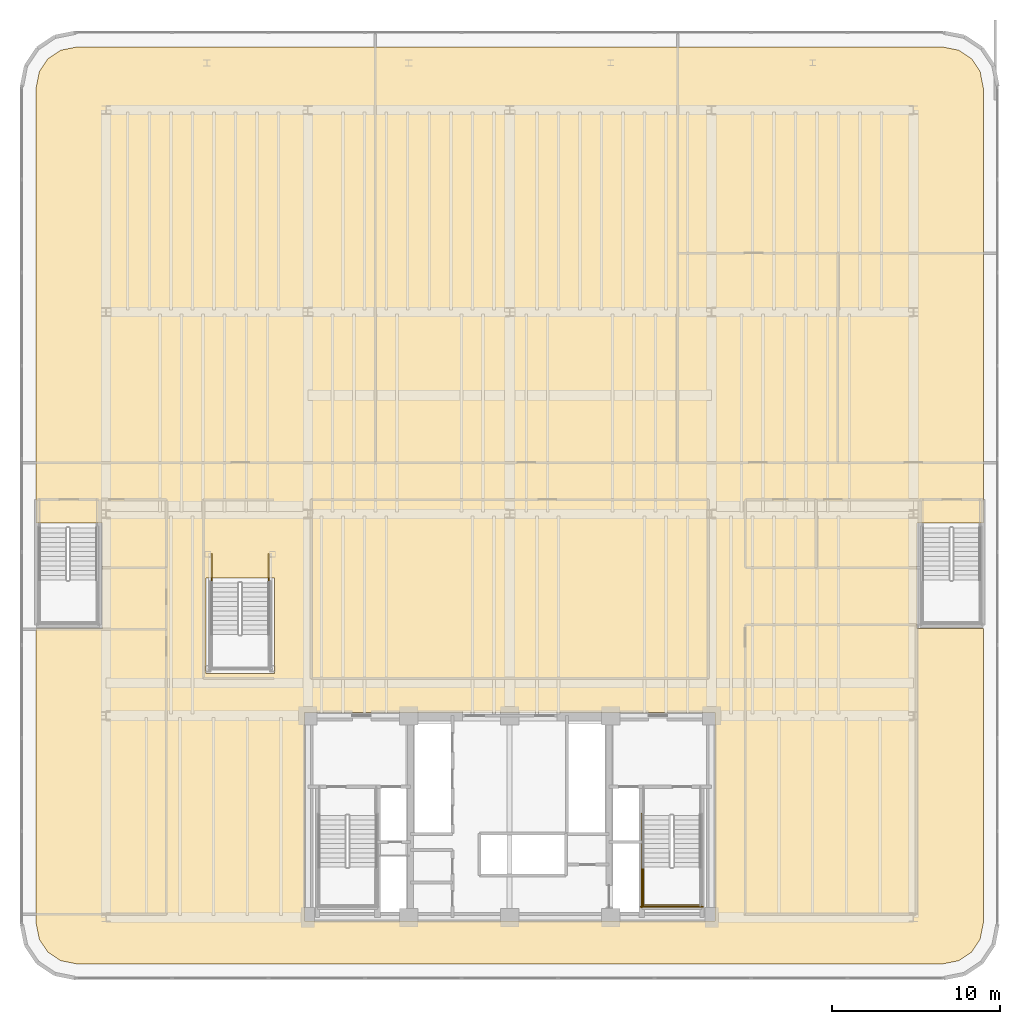
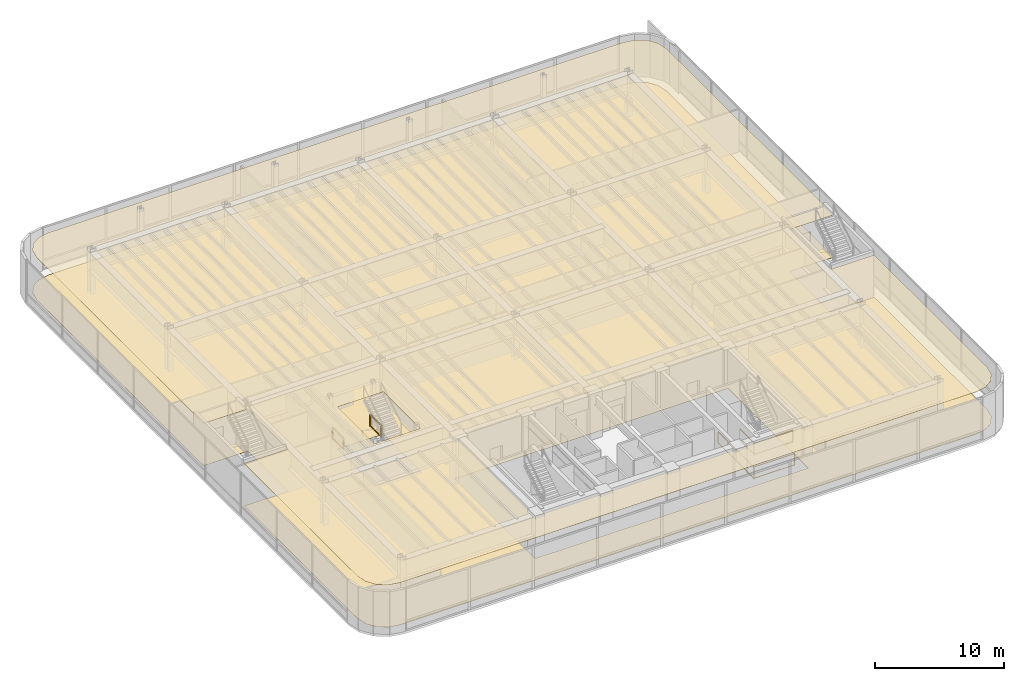
# One storey, part 18 of 19: 6 railings, 2 coverings.
"""IFC4 building model written with IfcOpenShell, lengths in metres."""

import ifcopenshell
import ifcopenshell.guid

model = None  # the IFC model being written
_history = None  # IfcOwnerHistory: only IFC2X3 demands one
_inside = {}  # id of a spatial element -> (the spatial element, [elements in it])
_under = {}  # id of a project, library or spatial element -> (it, [spatial elements below it])
_declared = {}  # id of a project -> (the project, [libraries it declares])
_typed = {}  # id of a type object -> (the type object, [elements of that type])
_made_of = {}  # id of a material, layer set ... -> (it, [elements and type objects made of it])


def new_model(schema):
    """Start an empty IFC model of exactly this schema.

    Asked for "IFC4X3", IfcOpenShell would pick the latest addendum, in which some entities
    have other attributes; the version numbers below select the first issue.
    IFC2X3 requires an IfcOwnerHistory on every rooted entity: one is made here for all.
    """
    global model, _history
    if schema == "IFC4X3":
        model = ifcopenshell.file(schema_version=(4, 3, 0, 0))
    else:
        model = ifcopenshell.file(schema=schema)
    _inside.clear()
    _under.clear()
    _declared.clear()
    _typed.clear()
    _made_of.clear()
    _history = None
    if model.schema == "IFC2X3":
        org = make("IfcOrganization", Name="unknown")
        user = make(
            "IfcPersonAndOrganization",
            ThePerson=make("IfcPerson", FamilyName="unknown"),
            TheOrganization=org,
        )
        app = make(
            "IfcApplication",
            ApplicationDeveloper=org,
            Version="unknown",
            ApplicationFullName="unknown",
            ApplicationIdentifier="unknown",
        )
        _history = make(
            "IfcOwnerHistory",
            OwningUser=user,
            OwningApplication=app,
            ChangeAction="ADDED",
            CreationDate=0,
        )
    return model


def make(cls, **values):
    """One entity of the class cls with the attributes given. An attribute that is None is left unset."""
    return model.create_entity(
        cls, **{name: value for name, value in values.items() if value is not None}
    )


def rooted(cls, **values):
    """An entity with a GlobalId (a new one), such as an element, a storey or a relation."""
    return make(cls, GlobalId=ifcopenshell.guid.new(), OwnerHistory=_history, **values)


def si_unit(unit_type, name, prefix=None):
    """IfcSIUnit, for example si_unit("LENGTHUNIT", "METRE", prefix="MILLI")."""
    return make("IfcSIUnit", UnitType=unit_type, Prefix=prefix, Name=name)


def assignment(units):
    """IfcUnitAssignment: the units of a project."""
    return None if units is None else make("IfcUnitAssignment", Units=units)


def point(xyz):
    """IfcCartesianPoint."""
    return None if xyz is None else make("IfcCartesianPoint", Coordinates=xyz)


def direction(xyz):
    """IfcDirection."""
    return None if xyz is None else make("IfcDirection", DirectionRatios=xyz)


def frame(location, z_axis=None, x_axis=None):
    """IfcAxis2Placement3D, a coordinate frame: its origin and axes. An axis left out is left unset."""
    return make(
        "IfcAxis2Placement3D",
        Location=point(location),
        Axis=direction(z_axis),
        RefDirection=direction(x_axis),
    )


def frame_2d(location, x_axis=None):
    """IfcAxis2Placement2D, a coordinate frame in the plane: its origin and x axis."""
    return make(
        "IfcAxis2Placement2D", Location=point(location), RefDirection=direction(x_axis)
    )


def origin():
    """The frame at (0, 0, 0) with its axes left unset."""
    return frame((0.0, 0.0, 0.0))


def origin_2d():
    """The frame at (0, 0) in the plane with its x axis left unset."""
    return frame_2d((0.0, 0.0))


def place(relative_to, where):
    """IfcLocalPlacement: puts the frame where relative to a parent placement (None: the world)."""
    return make(
        "IfcLocalPlacement", PlacementRelTo=relative_to, RelativePlacement=where
    )


def context(
    kind, dimensions, precision=None, world=None, true_north=None, identifier=None
):
    """IfcGeometricRepresentationContext, for example the 3D "Model" context."""
    return make(
        "IfcGeometricRepresentationContext",
        ContextIdentifier=identifier,
        ContextType=kind,
        CoordinateSpaceDimension=dimensions,
        Precision=precision,
        WorldCoordinateSystem=world,
        TrueNorth=true_north,
    )


def subcontext(parent, identifier, kind, view, scale=None):
    """IfcGeometricRepresentationSubContext, for example "Body" below "Model"."""
    return make(
        "IfcGeometricRepresentationSubContext",
        ContextIdentifier=identifier,
        ContextType=kind,
        ParentContext=parent,
        TargetScale=scale,
        TargetView=view,
    )


def project(units=None, contexts=None):
    """IfcProject with its units and contexts."""
    return rooted(
        "IfcProject",
        Name="project",
        RepresentationContexts=contexts,
        UnitsInContext=assignment(units),
    )


def spatial(cls, under=None, at=None, **own):
    """A site, building, storey or space (cls), placed at a placement, below another one or the project."""
    s = rooted(cls, ObjectPlacement=at, **own)
    if under is not None:
        _under.setdefault(under.id(), (under, []))[1].append(s)
    return s


def polyline(points):
    """IfcPolyline through the points."""
    return make("IfcPolyline", Points=[point(p) for p in points])


def profile(cls, at=None, kind="AREA", **sizes):
    """A parametric profile (cls). Its sizes go by their IFC names, for example OverallWidth=200.0."""
    return make(cls, ProfileType=kind, Position=at, **sizes)


def rectangle(**sizes):
    """IfcRectangleProfileDef."""
    return profile("IfcRectangleProfileDef", **sizes)


def outline(outer, holes=None, kind="AREA"):
    """IfcArbitraryClosedProfileDef: a profile drawn as a closed curve; with holes, ...WithVoids."""
    if holes is None:
        return make("IfcArbitraryClosedProfileDef", ProfileType=kind, OuterCurve=outer)
    return make(
        "IfcArbitraryProfileDefWithVoids",
        ProfileType=kind,
        OuterCurve=outer,
        InnerCurves=holes,
    )


def extrude(swept, where, along, depth):
    """IfcExtrudedAreaSolid: the profile swept, set in the frame where, extruded along a direction by depth."""
    return make(
        "IfcExtrudedAreaSolid",
        SweptArea=swept,
        Position=where,
        ExtrudedDirection=direction(along),
        Depth=depth,
    )


def shape(context_of_items, identifier, shape_type, items):
    """IfcShapeRepresentation: the items that make up one representation, for example the "Body"."""
    return make(
        "IfcShapeRepresentation",
        ContextOfItems=context_of_items,
        RepresentationIdentifier=identifier,
        RepresentationType=shape_type,
        Items=items,
    )


def material(Name=None, Category=None):
    """IfcMaterial."""
    return make("IfcMaterial", Name=Name, Category=Category)


def layer(
    of_material, thickness, ventilated=None, Name=None, Category=None, Priority=None
):
    """IfcMaterialLayer: one layer of a wall or slab, of a material (None: an air gap)."""
    return make(
        "IfcMaterialLayer",
        Material=of_material,
        LayerThickness=thickness,
        IsVentilated=ventilated,
        Name=Name,
        Category=Category,
        Priority=Priority,
    )


def layer_set(layers, Name=None):
    """IfcMaterialLayerSet."""
    return make("IfcMaterialLayerSet", MaterialLayers=layers, LayerSetName=Name)


def made_of(thing, what):
    """Note that an element or type object is made of a material, layer set ...; save() writes the relation."""
    if what is not None:
        _made_of.setdefault(what.id(), (what, []))[1].append(thing)
    return thing


def type_object(cls, material=None, **own):
    """A type object (cls), such as IfcWallType, which elements share."""
    return made_of(rooted(cls, **own), material)


def element(
    cls,
    number,
    at=None,
    inside=None,
    cuts=None,
    type_object=None,
    material=None,
    context=None,
    identifier="Body",
    shape_type=None,
    held_by="IfcProductDefinitionShape",
    body=None,
    shapes=None,
    **own,
):
    """One element of the class cls, such as IfcWall. Its Tag is "e" and its number.

    at: its placement. inside: the storey or other place that contains it. cuts: it is an
    opening in that element (IfcRelVoidsElement). A single representation is given by context,
    identifier, shape_type and body (its items); several are given by shapes. held_by: the class
    of the entity that holds the representations. save() writes the other relations.
    """
    e = rooted(cls, Tag="e%d" % number, ObjectPlacement=at, **own)
    if body is not None:
        shapes = [shape(context, identifier, shape_type, body)]
    if shapes is not None:
        e.Representation = make(held_by, Representations=shapes)
    if inside is not None:
        _inside.setdefault(inside.id(), (inside, []))[1].append(e)
    if cuts is not None:
        rooted(
            "IfcRelVoidsElement", RelatingBuildingElement=cuts, RelatedOpeningElement=e
        )
    if type_object is not None:
        _typed.setdefault(type_object.id(), (type_object, []))[1].append(e)
    return made_of(e, material)


def aggregate(whole, parts):
    """IfcRelAggregates: a whole, such as a stair, and the parts it consists of."""
    return rooted("IfcRelAggregates", RelatingObject=whole, RelatedObjects=parts)


def save(model, path):
    """Write the relations noted so far, then the file.

    IfcRelAggregates (storeys below a building ...), IfcRelContainedInSpatialStructure (elements
    in a storey), IfcRelDefinesByType, IfcRelAssociatesMaterial and IfcRelDeclares: one each for
    every whole, place, type object, material and project.
    """
    for whole, parts in _under.values():
        aggregate(whole, parts)
    for where, things in _inside.values():
        rooted(
            "IfcRelContainedInSpatialStructure",
            RelatedElements=things,
            RelatingStructure=where,
        )
    for kind, things in _typed.values():
        rooted("IfcRelDefinesByType", RelatedObjects=things, RelatingType=kind)
    for what, things in _made_of.values():
        rooted("IfcRelAssociatesMaterial", RelatedObjects=things, RelatingMaterial=what)
    for by, libraries in _declared.values():
        rooted("IfcRelDeclares", RelatingContext=by, RelatedDefinitions=libraries)
    model.write(path)


model = new_model("IFC4")

# Units and contexts
model_context = context("Model", 3, precision=1e-05, world=origin(), true_north=direction((0.0, 1.0)))
body_context = subcontext(model_context, "Body", "Model", "MODEL_VIEW")
ifc_project = project(units=[si_unit("LENGTHUNIT", "METRE"), si_unit("AREAUNIT", "SQUARE_METRE"), si_unit("VOLUMEUNIT", "CUBIC_METRE"), si_unit("PLANEANGLEUNIT", "RADIAN"), si_unit("MASSUNIT", "GRAM", prefix="KILO")], contexts=[model_context])

# Site, building, storey
site_placement = place(None, origin())
site = spatial("IfcSite", under=ifc_project, at=site_placement, CompositionType="ELEMENT")
building_placement = place(site_placement, origin())
building = spatial("IfcBuilding", under=site, at=building_placement, Name="Brelvock Crest Care Tower", CompositionType="ELEMENT")
storey_placement = place(building_placement, frame((0.0, 0.0, 18.360107421875)))
storey = spatial("IfcBuildingStorey", under=building, at=storey_placement, Name="L04", CompositionType="ELEMENT", Elevation=18.360107421875)

# Coverings
ifc_material_1 = material(Name="Mineral Fibre Acoustic Ceiling Tile", Category="gypsum")
ifc_layer_1 = layer(ifc_material_1, 0.02490234375, Name="COV-CLG1")
ifc_layer_set_1 = layer_set([ifc_layer_1], Name="Mineral Fibre Acoustic Ceiling Tile")
covering_type_1 = type_object("IfcCoveringType", Name="COV-CLG1", PredefinedType="CEILING", material=ifc_layer_set_1)
covering_1_placement = place(storey_placement, frame((0.0, 0.0, 3.98486328125)))
element("IfcCovering", 1, at=covering_1_placement, inside=storey, type_object=covering_type_1, Name="L04 Acoustic Suspended Ceiling 1", PredefinedType="CEILING", context=body_context, shape_type="SweptSolid", body=[
    extrude(outline(polyline([(61.71630859375, 3.25), (62.69287109375, 3.4443359375), (63.449951171875, 3.9501953125), (63.955810546875, 4.70703125), (64.14990234375, 5.68359375), (64.14990234375, 23.199951171875), (60.2099609375, 23.199951171875), (60.2099609375, 29.449951171875), (64.14990234375, 29.449951171875), (64.14990234375, 55.31640625), (63.955810546875, 56.29296875), (63.449951171875, 57.0498046875), (62.69287109375, 57.5556640625), (61.71630859375, 57.75), (10.28369140625, 57.75), (9.30712890625, 57.5556640625), (8.550048828125, 57.0498046875), (8.044189453125, 56.29296875), (7.85009765625, 55.31640625), (7.85009765625, 29.449951171875), (11.7900390625, 29.449951171875), (11.7900390625, 23.199951171875), (7.85009765625, 23.199951171875), (7.85009765625, 5.68359375), (8.044189453125, 4.70703125), (8.550048828125, 3.9501953125), (9.30712890625, 3.4443359375), (10.28369140625, 3.25), (61.71630859375, 3.25)]), holes=[polyline([(22.02001953125, 20.5), (22.02001953125, 26.199951171875), (17.93994140625, 26.199951171875), (17.93994140625, 20.5), (22.02001953125, 20.5)]), polyline([(48.199951171875, 5.800048828125), (48.199951171875, 18.199951171875), (23.800048828125, 18.199951171875), (23.800048828125, 5.800048828125), (48.199951171875, 5.800048828125)])]), origin(), (0.0, 0.0, 1.0), 0.025146484375),
])
ifc_material_2 = material(Name="Slip-Resistant Acoustic Vinyl Flooring", Category="finish")
ifc_layer_2 = layer(ifc_material_2, 0.014892578125, Name="COV-FLR1")
ifc_layer_set_2 = layer_set([ifc_layer_2], Name="Slip-Resistant Acoustic Vinyl Flooring")
covering_type_2 = type_object("IfcCoveringType", Name="COV-FLR1", PredefinedType="FLOORING", material=ifc_layer_set_2)
covering_2_placement = place(storey_placement, origin())
element("IfcCovering", 2, at=covering_2_placement, inside=storey, type_object=covering_type_2, Name="L04 Slip-Resistant Acoustic Flooring 1", PredefinedType="FLOORING", context=body_context, shape_type="SweptSolid", body=[
    extrude(outline(polyline([(61.71630859375, 3.25), (62.69287109375, 3.4443359375), (63.449951171875, 3.9501953125), (63.955810546875, 4.70703125), (64.14990234375, 5.68359375), (64.14990234375, 23.199951171875), (60.2099609375, 23.199951171875), (60.2099609375, 29.449951171875), (64.14990234375, 29.449951171875), (64.14990234375, 55.31640625), (63.955810546875, 56.29296875), (63.449951171875, 57.0498046875), (62.69287109375, 57.5556640625), (61.71630859375, 57.75), (10.28369140625, 57.75), (9.30712890625, 57.5556640625), (8.550048828125, 57.0498046875), (8.044189453125, 56.29296875), (7.85009765625, 55.31640625), (7.85009765625, 29.449951171875), (11.7900390625, 29.449951171875), (11.7900390625, 23.199951171875), (7.85009765625, 23.199951171875), (7.85009765625, 5.68359375), (8.044189453125, 4.70703125), (8.550048828125, 3.9501953125), (9.30712890625, 3.4443359375), (10.28369140625, 3.25), (61.71630859375, 3.25)]), holes=[polyline([(22.02001953125, 20.5), (22.02001953125, 26.199951171875), (17.93994140625, 26.199951171875), (17.93994140625, 20.5), (22.02001953125, 20.5)]), polyline([(48.199951171875, 5.800048828125), (48.199951171875, 18.199951171875), (23.800048828125, 18.199951171875), (23.800048828125, 5.800048828125), (48.199951171875, 5.800048828125)])]), origin(), (0.0, 0.0, 1.0), 0.014892578125),
])

# Railings
ifc_material_3 = material(Name="Steel Grade 350", Category="steel")
ifc_layer_3 = layer(ifc_material_3, 0.050048828125, Name="RL-STG1")
ifc_layer_set_3 = layer_set([ifc_layer_3], Name="Steel Grade 350")
railing_type = type_object("IfcRailingType", Name="RL-STG1", PredefinedType="GUARDRAIL", material=ifc_layer_set_3)
railing_1_placement = place(storey_placement, frame((43.93994140625, 9.0, 2.159912109375)))
element("IfcRailing", 3, at=railing_1_placement, inside=storey, type_object=railing_type, Name="L04 ST-2 stair guard 3", PredefinedType="GUARDRAIL", context=body_context, shape_type="SweptSolid", body=[
    extrude(rectangle(XDim=0.048095703125, YDim=0.048095703125, at=origin_2d()), frame((0.0, -0.001953125, 1.11572265625), z_axis=(0.0, -1.0, 0.0), x_axis=(1.0, 0.0, 0.0)), (0.0, 0.0, 1.0), 2.296142578125),
    extrude(rectangle(XDim=0.048095703125, YDim=0.048095703125, at=origin_2d()), frame((0.0, -0.001953125, 0.054931640625), z_axis=(0.0, -1.0, 0.0), x_axis=(1.0, 0.0, 0.0)), (0.0, 0.0, 1.0), 2.296142578125),
    extrude(rectangle(XDim=0.0419921875, YDim=0.0419921875, at=origin_2d()), origin(), (0.0, 0.0, 1.0), 1.08984375),
    extrude(rectangle(XDim=0.0419921875, YDim=0.0419921875, at=origin_2d()), frame((0.0, -2.300048828125, 0.0)), (0.0, 0.0, 1.0), 1.08984375),
])
railing_2_placement = place(storey_placement, frame((43.889892578125, 6.75, 2.159912109375)))
element("IfcRailing", 4, at=railing_2_placement, inside=storey, type_object=railing_type, Name="L04 ST-2 stair guard 5", PredefinedType="GUARDRAIL", context=body_context, shape_type="SweptSolid", body=[
    extrude(rectangle(XDim=0.048095703125, YDim=0.048095703125, at=origin_2d()), frame((0.001953125, 0.0, 1.11572265625), z_axis=(1.0, 0.0, 0.0), x_axis=(0.0, 1.0, 0.0)), (0.0, 0.0, 1.0), 3.476318359375),
    extrude(rectangle(XDim=0.048095703125, YDim=0.048095703125, at=origin_2d()), frame((0.001953125, 0.0, 0.054931640625), z_axis=(1.0, 0.0, 0.0), x_axis=(0.0, 1.0, 0.0)), (0.0, 0.0, 1.0), 3.476318359375),
    extrude(rectangle(XDim=0.0419921875, YDim=0.0419921875, at=origin_2d()), origin(), (0.0, 0.0, 1.0), 1.08984375),
    extrude(rectangle(XDim=0.0419921875, YDim=0.0419921875, at=origin_2d()), frame((3.480224609375, 0.0, 0.0)), (0.0, 0.0, 1.0), 1.08984375),
])
railing_3_placement = place(storey_placement, frame((43.840087890625, 12.179931640625, 0.0)))
element("IfcRailing", 5, at=railing_3_placement, inside=storey, type_object=railing_type, Name="L04 ST-2 stair guard 10", PredefinedType="GUARDRAIL", context=body_context, shape_type="SweptSolid", body=[
    extrude(rectangle(XDim=0.048095703125, YDim=0.048095703125, at=origin_2d()), frame((0.0, -0.001953125, 1.11572265625), z_axis=(0.0, -1.0, 0.0), x_axis=(1.0, 0.0, 0.0)), (0.0, 0.0, 1.0), 5.575927734375),
    extrude(rectangle(XDim=0.048095703125, YDim=0.048095703125, at=origin_2d()), frame((0.0, -0.001953125, 0.054931640625), z_axis=(0.0, -1.0, 0.0), x_axis=(1.0, 0.0, 0.0)), (0.0, 0.0, 1.0), 5.575927734375),
    extrude(rectangle(XDim=0.0419921875, YDim=0.0419921875, at=origin_2d()), origin(), (0.0, 0.0, 1.0), 1.08984375),
    extrude(rectangle(XDim=0.0419921875, YDim=0.0419921875, at=origin_2d()), frame((0.0, -2.7900390625, 0.0)), (0.0, 0.0, 1.0), 1.08984375),
    extrude(rectangle(XDim=0.0419921875, YDim=0.0419921875, at=origin_2d()), frame((0.0, -5.579833984375, 0.0)), (0.0, 0.0, 1.0), 1.08984375),
])
railing_4_placement = place(storey_placement, frame((43.7900390625, 6.64990234375, 0.0)))
element("IfcRailing", 6, at=railing_4_placement, inside=storey, type_object=railing_type, Name="L04 ST-2 stair guard 12", PredefinedType="GUARDRAIL", context=body_context, shape_type="SweptSolid", body=[
    extrude(rectangle(XDim=0.048095703125, YDim=0.048095703125, at=origin_2d()), frame((0.001953125, 0.0, 1.11572265625), z_axis=(1.0, 0.0, 0.0), x_axis=(0.0, 1.0, 0.0)), (0.0, 0.0, 1.0), 3.676025390625),
    extrude(rectangle(XDim=0.048095703125, YDim=0.048095703125, at=origin_2d()), frame((0.001953125, 0.0, 0.054931640625), z_axis=(1.0, 0.0, 0.0), x_axis=(0.0, 1.0, 0.0)), (0.0, 0.0, 1.0), 3.676025390625),
    extrude(rectangle(XDim=0.0419921875, YDim=0.0419921875, at=origin_2d()), origin(), (0.0, 0.0, 1.0), 1.08984375),
    extrude(rectangle(XDim=0.0419921875, YDim=0.0419921875, at=origin_2d()), frame((3.679931640625, 0.0, 0.0)), (0.0, 0.0, 1.0), 1.08984375),
])
for number, where, name in (
    (7, (18.2900390625, 27.60009765625, 0.0), "L04 ST-5 stair guard 8"),
    (8, (21.669921875, 27.60009765625, 0.0), "L04 ST-5 stair guard 9"),
):
    element("IfcRailing", number, at=place(storey_placement, frame(where)), inside=storey, type_object=railing_type, Name=name, PredefinedType="GUARDRAIL", context=body_context, shape_type="SweptSolid", body=[
        extrude(rectangle(XDim=0.048095703125, YDim=0.048095703125, at=origin_2d()), frame((0.0, -0.001953125, 1.11572265625), z_axis=(0.0, -1.0, 0.0), x_axis=(1.0, 0.0, 0.0)), (0.0, 0.0, 1.0), 1.6962890625),
        extrude(rectangle(XDim=0.048095703125, YDim=0.048095703125, at=origin_2d()), frame((0.0, -0.001953125, 0.054931640625), z_axis=(0.0, -1.0, 0.0), x_axis=(1.0, 0.0, 0.0)), (0.0, 0.0, 1.0), 1.6962890625),
        extrude(rectangle(XDim=0.0419921875, YDim=0.0419921875, at=origin_2d()), origin(), (0.0, 0.0, 1.0), 1.08984375),
        extrude(rectangle(XDim=0.0419921875, YDim=0.0419921875, at=origin_2d()), frame((0.0, -1.7001953125, 0.0)), (0.0, 0.0, 1.0), 1.08984375),
    ])

save(model, "model.ifc")
